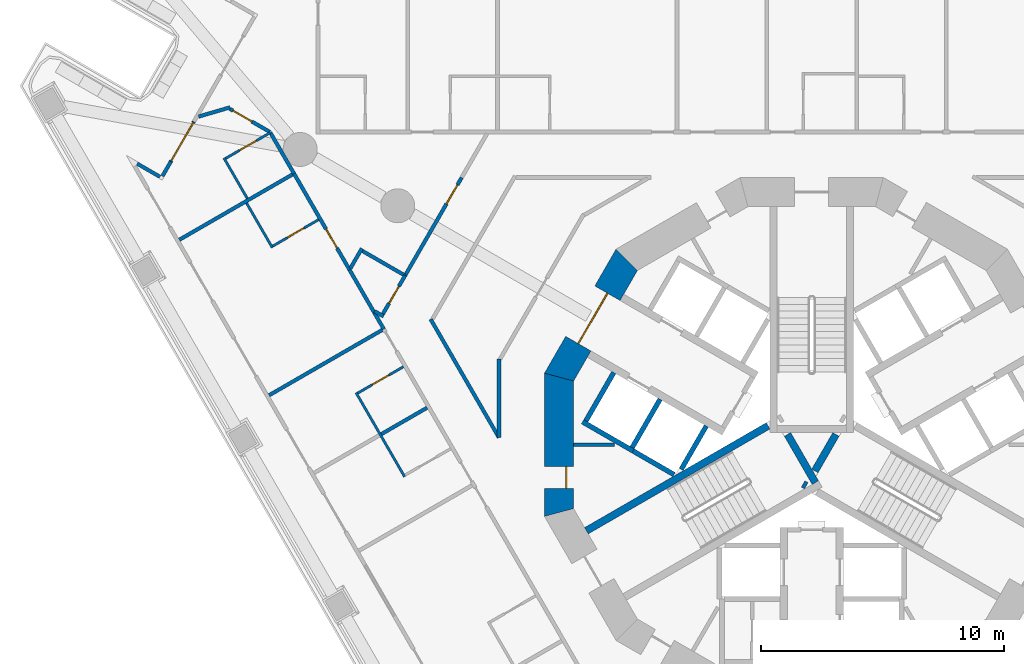
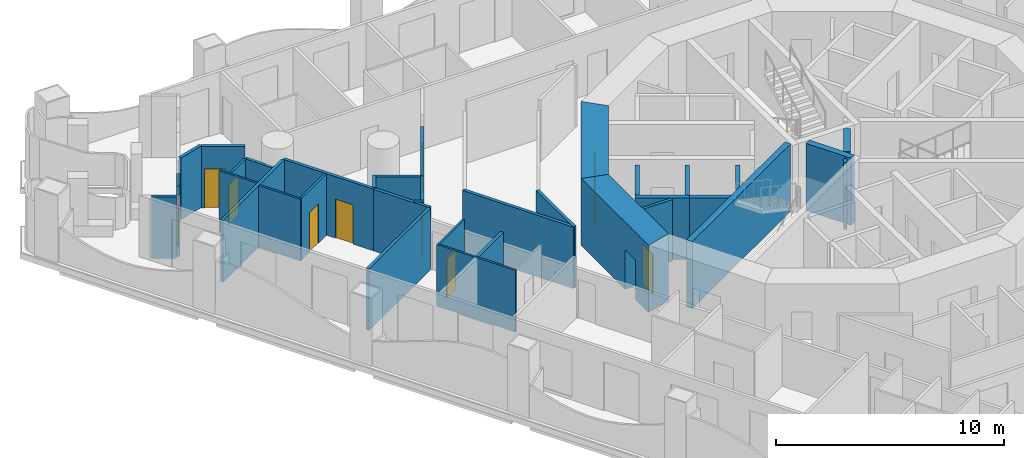
# One storey, part 6 of 20: 36 walls, 10 doors, 10 openings.
"""IFC4 building model written with IfcOpenShell, lengths in metres."""

from ifc_helpers import new_model, si_unit, direction, frame, frame_2d, origin, place, context, subcontext, project, spatial, polyline, rectangle, outline, extrude, material, layer, layer_set, type_object, element, fill, save


model = new_model("IFC4")

# Units and contexts
model_context = context("Model", 3, precision=1e-05, world=origin(), true_north=direction((0.0, 1.0)))
body_context = subcontext(model_context, "Body", "Model", "MODEL_VIEW")
ifc_project = project(units=[si_unit("LENGTHUNIT", "METRE"), si_unit("AREAUNIT", "SQUARE_METRE"), si_unit("VOLUMEUNIT", "CUBIC_METRE"), si_unit("PLANEANGLEUNIT", "RADIAN"), si_unit("MASSUNIT", "GRAM", prefix="KILO")], contexts=[model_context])

# Site, building, storey
site_placement = place(None, origin())
site = spatial("IfcSite", under=ifc_project, at=site_placement, CompositionType="ELEMENT")
building_placement = place(site_placement, origin())
building = spatial("IfcBuilding", under=site, at=building_placement, Name="Trine Commons Tower", CompositionType="ELEMENT")
storey_placement = place(building_placement, frame((0.0, 0.0, 35.10009765625)))
storey = spatial("IfcBuildingStorey", under=building, at=storey_placement, Name="L07", CompositionType="ELEMENT", Elevation=35.10009765625)

# Walls
ifc_material_1 = material(Name="Plasterboard partition on steel studs", Category="steel")
ifc_layer_1 = layer(ifc_material_1, 0.14990234375)
ifc_layer_set_1 = layer_set([ifc_layer_1], Name="Plasterboard partition on steel studs")
wall_type_1 = type_object("IfcWallType", Name="Core room partition 150 mm, EI 60", PredefinedType="PARTITIONING", material=ifc_layer_set_1)
wall_1_placement = place(storey_placement, frame((70.18798828125, 62.5, 0.0), z_axis=(0.0, 0.0, 1.0), x_axis=(1.0, 0.0, 0.0)))
element("IfcWall", 1, at=wall_1_placement, inside=storey, type_object=wall_type_1, Name="Core room partition L07", PredefinedType="PARTITIONING", context=body_context, shape_type="SweptSolid", body=[
    extrude(rectangle(XDim=1.68310546875, YDim=0.14990234375, at=frame_2d((0.841552734375, 0.0))), origin(), (0.0, 0.0, 1.0), 3.2998046875),
])
ifc_material_2 = material(Name="Aluminium-framed insulated wall panel", Category="aluminium")
ifc_layer_2 = layer(ifc_material_2, 0.14990234375)
ifc_layer_set_2 = layer_set([ifc_layer_2], Name="Aluminium-framed insulated wall panel")
wall_type_2 = type_object("IfcWallType", Name="Glazed frame wall 150, EI 60", PredefinedType="SOLIDWALL", material=ifc_layer_set_2)
wall_2_placement = place(storey_placement, frame((52.074462890625, 74.159912109375, 0.0), z_axis=(0.0, 0.0, 1.0), x_axis=(0.865989100438, -0.500062873969, 0.0)))
element("IfcWall", 2, at=wall_2_placement, inside=storey, type_object=wall_type_2, Name="Glazed frame wall R1", PredefinedType="SOLIDWALL", context=body_context, shape_type="SweptSolid", body=[
    extrude(outline(polyline([(0.1494140625, 0.074951171875), (0.1494140625, -0.074951171875), (1.235107421875, -0.074951171875), (1.235107421875, 0.074951171875), (0.1494140625, 0.074951171875)])), origin(), (0.0, 0.0, 1.0), 3.2998046875),
])
wall_3_placement = place(storey_placement, frame((53.19140625, 73.474609375, 0.0), z_axis=(0.0, 0.0, 1.0), x_axis=(0.499880961361, 0.866094119867, 0.0)))
element("IfcWall", 3, at=wall_3_placement, inside=storey, type_object=wall_type_2, Name="Glazed frame wall P1.1", PredefinedType="SOLIDWALL", context=body_context, shape_type="SweptSolid", body=[
    extrude(outline(polyline([(0.110107421875, -0.074951171875), (0.800048828125, -0.074951171875), (0.800048828125, 0.074951171875), (0.110107421875, 0.074951171875), (0.110107421875, -0.074951171875)])), origin(), (0.0, 0.0, 1.0), 3.2998046875),
])

# Wall, opening, door
wall_4_placement = place(storey_placement, frame((53.59130859375, 74.16748046875, 0.0), z_axis=(0.0, 0.0, 1.0), x_axis=(0.500063520245, 0.865988727248, 0.0)))
wall_4 = element("IfcWall", 4, at=wall_4_placement, inside=storey, type_object=wall_type_2, Name="Glazed frame wall P1.2", PredefinedType="SOLIDWALL", context=body_context, shape_type="SweptSolid", body=[
    extrude(outline(polyline([(0.0, -0.074951171875), (1.89990234375, -0.074951171875), (1.89990234375, 0.074951171875), (0.0, 0.074951171875), (0.0, -0.074951171875)])), origin(), (0.0, 0.0, 1.0), 2.64990234375),
])
opening_1_placement = place(wall_4_placement, frame((0.050048828125, 0.0, 0.0)))
opening_1 = element("IfcOpeningElement", 5, at=opening_1_placement, cuts=wall_4, Name="Opening BD-1P1-01", PredefinedType="OPENING", context=body_context, shape_type="SweptSolid", body=[
    extrude(rectangle(XDim=1.800048828125, YDim=2.60009765625, at=frame_2d((0.89990234375, 1.300048828125))), frame((0.0, 0.0849609375, 0.0), z_axis=(0.0, -1.0, 0.0), x_axis=(1.0, 0.0, 0.0)), (0.0, 0.0, 1.0), 0.169921875),
])
ifc_material_3 = material(Name="Anodised aluminium frame with double glazing", Category="aluminium")
door_type_1 = type_object("IfcDoorType", Name="Sliding loggia door 1800x2600", OperationType="SLIDING_TO_LEFT", PredefinedType="DOOR", material=ifc_material_3)
door_1_placement = place(opening_1_placement, origin())
door_1 = element("IfcDoor", 6, at=door_1_placement, inside=storey, type_object=door_type_1, Name="Loggia door P1 1", OperationType="SLIDING_TO_LEFT", OverallHeight=2.60009765625, OverallWidth=1.800048828125, PredefinedType="DOOR", context=body_context, shape_type="SweptSolid", body=[
    extrude(rectangle(XDim=1.800048828125, YDim=2.60009765625, at=frame_2d((0.89990234375, 1.300048828125))), frame((0.0, 0.02490234375, 0.0), z_axis=(0.0, -1.0, 0.0), x_axis=(1.0, 0.0, 0.0)), (0.0, 0.0, 1.0), 0.050048828125),
])
fill(opening_1, door_1)

ifc_material_4 = material(Name="Concrete C80/95", Category="concrete")
ifc_layer_3 = layer(ifc_material_4, 1.199951171875)
ifc_layer_set_3 = layer_set([ifc_layer_3], Name="Concrete C80/95")
wall_type_3 = type_object("IfcWallType", Name="RC shear wall 1200 mm, C80/95", PredefinedType="SHEAR", material=ifc_layer_set_3)
wall_5_placement = place(storey_placement, frame((72.45849609375, 70.260986328125, 0.0), z_axis=(0.0, 0.0, 1.0), x_axis=(-0.499979111662, -0.866037463336, 0.0)))
wall_5 = element("IfcWall", 7, at=wall_5_placement, inside=storey, type_object=wall_type_3, Name="Core wall CWA-06 L07", PredefinedType="SHEAR", context=body_context, shape_type="SweptSolid", body=[
    extrude(outline(polyline([(0.0, -0.60009765625), (5.901123046875, -0.60009765625), (5.57958984375, 0.60009765625), (0.321533203125, 0.60009765625), (0.0, -0.60009765625)])), origin(), (0.0, 0.0, 1.0), 3.599853515625),
])
opening_2_placement = place(wall_5_placement, frame((1.75048828125, 0.0, 0.0)))
opening_2 = element("IfcOpeningElement", 8, at=opening_2_placement, cuts=wall_5, Name="Opening K06.06", PredefinedType="OPENING", context=body_context, shape_type="SweptSolid", body=[
    extrude(rectangle(XDim=2.39990234375, YDim=2.10009765625, at=frame_2d((1.199951171875, 1.050048828125))), frame((0.0, 0.60986328125, 0.0), z_axis=(0.0, -1.0, 0.0), x_axis=(1.0, 0.0, 0.0)), (0.0, 0.0, 1.0), 1.219970703125),
])
ifc_material_5 = material(Name="Steel door leaves, fire-rated", Category="steel")
door_type_2 = type_object("IfcDoorType", Name="Lobby door, double leaf 2400 x 2100, FD60", OperationType="DOUBLE_DOOR_SINGLE_SWING", PredefinedType="DOOR", material=ifc_material_5)
door_2_placement = place(opening_2_placement, origin())
door_2 = element("IfcDoor", 9, at=door_2_placement, inside=storey, type_object=door_type_2, Name="Lobby door, Passenger lift lobby B L07", OperationType="DOUBLE_DOOR_SINGLE_SWING", OverallHeight=2.10009765625, OverallWidth=2.39990234375, PredefinedType="DOOR", context=body_context, shape_type="SweptSolid", body=[
    extrude(rectangle(XDim=2.39990234375, YDim=2.10009765625, at=frame_2d((1.199951171875, 1.050048828125))), frame((0.0, 0.02490234375, 0.0), z_axis=(0.0, -1.0, 0.0), x_axis=(1.0, 0.0, 0.0)), (0.0, 0.0, 1.0), 0.050048828125),
])
fill(opening_2, door_2)

wall_6_placement = place(storey_placement, frame((69.58837890625, 65.450439453125, 0.0), z_axis=(0.0, 0.0, 1.0), x_axis=(0.0, -1.0, 0.0)))
wall_6 = element("IfcWall", 10, at=wall_6_placement, inside=storey, type_object=wall_type_3, Name="Core wall CWA-07 L07", PredefinedType="SHEAR", context=body_context, shape_type="SweptSolid", body=[
    extrude(outline(polyline([(0.0, -0.60009765625), (5.90087890625, -0.60009765625), (5.57958984375, 0.60009765625), (0.321533203125, 0.60009765625), (0.0, -0.60009765625)])), origin(), (0.0, 0.0, 1.0), 3.599853515625),
])
opening_3_placement = place(wall_6_placement, frame((3.8505859375, 0.0, 0.0)))
opening_3 = element("IfcOpeningElement", 11, at=opening_3_placement, cuts=wall_6, Name="Opening K06.14", PredefinedType="OPENING", context=body_context, shape_type="SweptSolid", body=[
    extrude(rectangle(XDim=0.89990234375, YDim=2.10009765625, at=frame_2d((0.449951171875, 1.050048828125))), frame((0.0, 0.60986328125, 0.0), z_axis=(0.0, -1.0, 0.0), x_axis=(1.0, 0.0, 0.0)), (0.0, 0.0, 1.0), 1.219970703125),
])
ifc_material_6 = material(Name="Steel door leaf, fire-rated", Category="steel")
door_type_3 = type_object("IfcDoorType", Name="Core room door, single leaf 900 x 2100, FD30S", OperationType="SINGLE_SWING_LEFT", PredefinedType="DOOR", material=ifc_material_6)
door_3_placement = place(opening_3_placement, origin())
door_3 = element("IfcDoor", 12, at=door_3_placement, inside=storey, type_object=door_type_3, Name="Door to Comms room L07", OperationType="SINGLE_SWING_RIGHT", OverallHeight=2.10009765625, OverallWidth=0.89990234375, PredefinedType="DOOR", context=body_context, shape_type="SweptSolid", body=[
    extrude(rectangle(XDim=0.89990234375, YDim=2.10009765625, at=frame_2d((0.449951171875, 1.050048828125))), frame((0.0, 0.3251953125, 0.0), z_axis=(0.0, -1.0, 0.0), x_axis=(1.0, 0.0, 0.0)), (0.0, 0.0, 1.0), 0.050048828125),
])
fill(opening_3, door_3)

# Walls
ifc_layer_4 = layer(ifc_material_4, 0.300048828125)
ifc_layer_set_4 = layer_set([ifc_layer_4], Name="Concrete C80/95")
wall_type_4 = type_object("IfcWallType", Name="RC shear wall 300 mm, C80/95", PredefinedType="SHEAR", material=ifc_layer_set_4)
wall_7_placement = place(storey_placement, frame((78.199951171875, 63.280029296875, 0.0), z_axis=(0.0, 0.0, 1.0), x_axis=(-0.865965399159, -0.500103916661, 0.0)))
element("IfcWall", 13, at=wall_7_placement, inside=storey, type_object=wall_type_4, Name="Core cross wall SWA-07 L07", PredefinedType="SHEAR", context=body_context, shape_type="SweptSolid", body=[
    extrude(rectangle(XDim=8.642333984375, YDim=0.300048828125, at=frame_2d((4.3212890625, 0.0))), origin(), (0.0, 0.0, 1.0), 3.599853515625),
])
wall_8_placement = place(storey_placement, frame((79.0029296875, 62.926025390625, 0.0), z_axis=(0.0, 0.0, 1.0), x_axis=(0.499965247104, -0.866045467449, 0.0)))
element("IfcWall", 14, at=wall_8_placement, inside=storey, type_object=wall_type_4, Name="Core cross wall SWA-10 L07", PredefinedType="SHEAR", context=body_context, shape_type="SweptSolid", body=[
    extrude(rectangle(XDim=2.292236328125, YDim=0.300048828125, at=frame_2d((1.14599609375, 0.0))), origin(), (0.0, 0.0, 1.0), 3.599853515625),
])
wall_9_placement = place(storey_placement, frame((79.64599609375, 60.885986328125, 0.0), z_axis=(0.0, 0.0, 1.0), x_axis=(0.867331893649, -0.497730234424, 0.0)))
element("IfcWall", 15, at=wall_9_placement, inside=storey, type_object=wall_type_4, Name="Core cross wall SWA-11 L07", PredefinedType="SHEAR", context=body_context, shape_type="SweptSolid", body=[
    extrude(rectangle(XDim=0.148681640625, YDim=0.300048828125, at=frame_2d((0.07421875, 0.0))), origin(), (0.0, 0.0, 1.0), 3.599853515625),
])
wall_10_placement = place(storey_placement, frame((80.1298828125, 61.424072265625, 0.0), z_axis=(0.0, 0.0, 1.0), x_axis=(0.500014901547, 0.866016800201, 0.0)))
element("IfcWall", 16, at=wall_10_placement, inside=storey, type_object=wall_type_4, Name="Core cross wall SWA-12 L07", PredefinedType="SHEAR", context=body_context, shape_type="SweptSolid", body=[
    extrude(rectangle(XDim=1.734375, YDim=0.300048828125, at=frame_2d((0.8671875, 0.0))), origin(), (0.0, 0.0, 1.0), 3.599853515625),
])
ifc_material_7 = material(Name="Fire-rated gypsum shaft wall system")
ifc_layer_5 = layer(ifc_material_7, 0.199951171875)
ifc_layer_set_5 = layer_set([ifc_layer_5], Name="Fire-rated gypsum shaft wall system")
wall_type_5 = type_object("IfcWallType", Name="Shaft wall 200 mm, EI 120", PredefinedType="PARTITIONING", material=ifc_layer_set_5)
wall_11_placement = place(storey_placement, frame((71.844970703125, 65.47607421875, 0.0), z_axis=(0.0, 0.0, 1.0), x_axis=(-0.500136062276, -0.86594683394, 0.0)))
element("IfcWall", 17, at=wall_11_placement, inside=storey, type_object=wall_type_5, Name="Shaft wall L07", PredefinedType="PARTITIONING", context=body_context, shape_type="SweptSolid", body=[
    extrude(rectangle(XDim=2.299072265625, YDim=0.199951171875, at=frame_2d((1.1494140625, 0.0))), origin(), (0.0, 0.0, 1.0), 3.2998046875),
])
wall_12_placement = place(storey_placement, frame((72.637939453125, 62.248046875, 0.0), z_axis=(0.0, 0.0, 1.0), x_axis=(-0.866177122335, 0.499737123639, 0.0)))
element("IfcWall", 18, at=wall_12_placement, inside=storey, type_object=wall_type_5, Name="Shaft wall L07", PredefinedType="PARTITIONING", context=body_context, shape_type="SweptSolid", body=[
    extrude(rectangle(XDim=2.401123046875, YDim=0.199951171875, at=frame_2d((1.20068359375, 0.0))), origin(), (0.0, 0.0, 1.0), 3.2998046875),
])
wall_13_placement = place(storey_placement, frame((73.7509765625, 64.3759765625, 0.0), z_axis=(0.0, 0.0, 1.0), x_axis=(-0.500136062276, -0.86594683394, 0.0)))
element("IfcWall", 19, at=wall_13_placement, inside=storey, type_object=wall_type_5, Name="Shaft wall L07", PredefinedType="PARTITIONING", context=body_context, shape_type="SweptSolid", body=[
    extrude(rectangle(XDim=2.299072265625, YDim=0.199951171875, at=frame_2d((1.1494140625, 0.0))), origin(), (0.0, 0.0, 1.0), 3.2998046875),
])
wall_14_placement = place(storey_placement, frame((74.324951171875, 61.27294921875, 0.0), z_axis=(0.0, 0.0, 1.0), x_axis=(-0.865780634835, 0.500423712812, 0.0)))
element("IfcWall", 20, at=wall_14_placement, inside=storey, type_object=wall_type_5, Name="Shaft wall L07", PredefinedType="PARTITIONING", context=body_context, shape_type="SweptSolid", body=[
    extrude(rectangle(XDim=1.948486328125, YDim=0.199951171875, at=frame_2d((0.97412109375, 0.0))), origin(), (0.0, 0.0, 1.0), 3.2998046875),
])
wall_15_placement = place(storey_placement, frame((75.656005859375, 63.27587890625, 0.0), z_axis=(0.0, 0.0, 1.0), x_axis=(-0.500271688072, -0.86586848777, 0.0)))
element("IfcWall", 21, at=wall_15_placement, inside=storey, type_object=wall_type_5, Name="Shaft wall L07", PredefinedType="PARTITIONING", context=body_context, shape_type="SweptSolid", body=[
    extrude(rectangle(XDim=2.064697265625, YDim=0.199951171875, at=frame_2d((1.0322265625, 0.0))), origin(), (0.0, 0.0, 1.0), 3.2998046875),
])
ifc_material_8 = material(Name="Gypsum plasterboard on steel stud", Category="steel")
ifc_layer_6 = layer(ifc_material_8, 0.14990234375)
ifc_layer_set_6 = layer_set([ifc_layer_6], Name="Gypsum plasterboard on steel stud")
wall_type_6 = type_object("IfcWallType", Name="Unit and corridor wall 150 mm, EI 60", PredefinedType="PARTITIONING", material=ifc_layer_set_6)
wall_16_placement = place(storey_placement, frame((53.941650390625, 70.946044921875, 0.0), z_axis=(0.0, 0.0, 1.0), x_axis=(0.866012611495, 0.500022156241, 0.0)))
element("IfcWall", 22, at=wall_16_placement, inside=storey, type_object=wall_type_6, Name="Partition 001", PredefinedType="PARTITIONING", context=body_context, shape_type="SweptSolid", body=[
    extrude(rectangle(XDim=5.382568359375, YDim=0.14990234375, at=frame_2d((2.69140625, 0.0))), origin(), (0.0, 0.0, 1.0), 3.2998046875),
])
wall_17_placement = place(storey_placement, frame((54.7353515625, 76.023193359375, 0.0), z_axis=(0.0, 0.0, 1.0), x_axis=(0.959684993382, 0.281077771226, 0.0)))
element("IfcWall", 23, at=wall_17_placement, inside=storey, type_object=wall_type_6, Name="Partition 002", PredefinedType="PARTITIONING", context=body_context, shape_type="SweptSolid", body=[
    extrude(rectangle(XDim=1.34814453125, YDim=0.14990234375, at=frame_2d((0.674072265625, 0.0))), origin(), (0.0, 0.0, 1.0), 3.2998046875),
])

# Wall, opening, door
wall_18_placement = place(storey_placement, frame((56.02197265625, 76.343505859375, 0.0), z_axis=(0.0, 0.0, 1.0), x_axis=(0.866179215651, -0.49973349535, 0.0)))
wall_18 = element("IfcWall", 24, at=wall_18_placement, inside=storey, type_object=wall_type_6, Name="Partition 005", PredefinedType="PARTITIONING", context=body_context, shape_type="SweptSolid", body=[
    extrude(rectangle(XDim=1.9140625, YDim=0.14990234375, at=frame_2d((0.95703125, 0.0))), origin(), (0.0, 0.0, 1.0), 3.2998046875),
])
opening_4_placement = place(wall_18_placement, frame((0.14990234375, 0.0, 0.0)))
opening_4 = element("IfcOpeningElement", 25, at=opening_4_placement, cuts=wall_18, Name="Opening D-1A33", PredefinedType="OPENING", context=body_context, shape_type="SweptSolid", body=[
    extrude(rectangle(XDim=0.89990234375, YDim=2.10009765625, at=frame_2d((0.449951171875, 1.050048828125))), frame((0.0, 0.0849609375, 0.0), z_axis=(0.0, -1.0, 0.0), x_axis=(1.0, 0.0, 0.0)), (0.0, 0.0, 1.0), 0.169921875),
])
ifc_material_9 = material(Name="Timber fire door set", Category="wood")
door_type_4 = type_object("IfcDoorType", Name="Bedroom door 900 x 2100, FD30S", OperationType="NOTDEFINED", PredefinedType="DOOR", material=ifc_material_9)
door_4_placement = place(opening_4_placement, frame((0.89990234375, 0.0, 0.0), z_axis=(0.0, 0.0, 1.0), x_axis=(-1.0, 0.0, 0.0)))
door_4 = element("IfcDoor", 26, at=door_4_placement, inside=storey, type_object=door_type_4, Name="Door D-1A33", OperationType="SINGLE_SWING_RIGHT", OverallHeight=2.10009765625, OverallWidth=0.89990234375, PredefinedType="DOOR", context=body_context, shape_type="SweptSolid", body=[
    extrude(rectangle(XDim=0.89990234375, YDim=2.10009765625, at=frame_2d((0.449951171875, 1.050048828125))), frame((0.0, 0.02490234375, 0.0), z_axis=(0.0, -1.0, 0.0), x_axis=(1.0, 0.0, 0.0)), (0.0, 0.0, 1.0), 0.050048828125),
])
fill(opening_4, door_4)

# Walls
wall_19_placement = place(storey_placement, frame((57.640625, 64.5390625, 0.0), z_axis=(0.0, 0.0, 1.0), x_axis=(0.866012611495, 0.500022156241, 0.0)))
element("IfcWall", 27, at=wall_19_placement, inside=storey, type_object=wall_type_6, Name="Partition 007", PredefinedType="PARTITIONING", context=body_context, shape_type="SweptSolid", body=[
    extrude(rectangle(XDim=5.382568359375, YDim=0.14990234375, at=frame_2d((2.69140625, 0.0))), origin(), (0.0, 0.0, 1.0), 3.2998046875),
])
wall_20_placement = place(storey_placement, frame((57.69091796875, 75.366943359375, 0.0), z_axis=(0.0, 0.0, 1.0), x_axis=(0.500090215447, -0.865973311606, 0.0)))
element("IfcWall", 28, at=wall_20_placement, inside=storey, type_object=wall_type_6, Name="Partition 008", PredefinedType="PARTITIONING", context=body_context, shape_type="SweptSolid", body=[
    extrude(rectangle(XDim=1.953857421875, YDim=0.14990234375, at=frame_2d((0.97705078125, 0.0))), origin(), (0.0, 0.0, 1.0), 2.64990234375),
])

# Wall, opening, door
wall_21_placement = place(storey_placement, frame((58.66796875, 73.675048828125, 0.0), z_axis=(0.0, 0.0, 1.0), x_axis=(0.499810170442, -0.866134974194, 0.0)))
wall_21 = element("IfcWall", 29, at=wall_21_placement, inside=storey, type_object=wall_type_6, Name="Partition 010", PredefinedType="PARTITIONING", context=body_context, shape_type="SweptSolid", body=[
    extrude(rectangle(XDim=4.577880859375, YDim=0.14990234375, at=frame_2d((2.2890625, 0.0))), origin(), (0.0, 0.0, 1.0), 3.2998046875),
])
opening_5_placement = place(wall_21_placement, frame((2.647705078125, 0.0, 0.0)))
opening_5 = element("IfcOpeningElement", 30, at=opening_5_placement, cuts=wall_21, Name="Opening D-1A32", PredefinedType="OPENING", context=body_context, shape_type="SweptSolid", body=[
    extrude(rectangle(XDim=0.89990234375, YDim=2.10009765625, at=frame_2d((0.449951171875, 1.050048828125))), frame((0.0, 0.0849609375, 0.0), z_axis=(0.0, -1.0, 0.0), x_axis=(1.0, 0.0, 0.0)), (0.0, 0.0, 1.0), 0.169921875),
])
door_5_placement = place(opening_5_placement, frame((0.89990234375, 0.0, 0.0), z_axis=(0.0, 0.0, 1.0), x_axis=(-1.0, 0.0, 0.0)))
door_5 = element("IfcDoor", 31, at=door_5_placement, inside=storey, type_object=door_type_4, Name="Door D-1A32", OperationType="SINGLE_SWING_LEFT", OverallHeight=2.10009765625, OverallWidth=0.89990234375, PredefinedType="DOOR", context=body_context, shape_type="SweptSolid", body=[
    extrude(rectangle(XDim=0.89990234375, YDim=2.10009765625, at=frame_2d((0.449951171875, 1.050048828125))), frame((0.0, 0.02490234375, 0.0), z_axis=(0.0, -1.0, 0.0), x_axis=(1.0, 0.0, 0.0)), (0.0, 0.0, 1.0), 0.050048828125),
])
fill(opening_5, door_5)

# Walls
wall_22_placement = place(storey_placement, frame((60.993408203125, 69.77490234375, 0.0), z_axis=(0.0, 0.0, 1.0), x_axis=(0.499692428125, 0.866202907681, 0.0)))
element("IfcWall", 32, at=wall_22_placement, inside=storey, type_object=wall_type_6, Name="Partition 015", PredefinedType="PARTITIONING", context=body_context, shape_type="SweptSolid", body=[
    extrude(rectangle(XDim=0.9384765625, YDim=0.14990234375, at=frame_2d((0.46923828125, 0.0))), origin(), (0.0, 0.0, 1.0), 3.2998046875),
])
wall_23_placement = place(storey_placement, frame((60.9560546875, 69.7099609375, 0.0), z_axis=(0.0, 0.0, 1.0), x_axis=(0.500313606915, -0.865844267022, 0.0)))
element("IfcWall", 33, at=wall_23_placement, inside=storey, type_object=wall_type_6, Name="Partition 016", PredefinedType="PARTITIONING", context=body_context, shape_type="SweptSolid", body=[
    extrude(rectangle(XDim=2.823974609375, YDim=0.14990234375, at=frame_2d((1.412109375, 0.0))), origin(), (0.0, 0.0, 1.0), 3.2998046875),
])
wall_24_placement = place(storey_placement, frame((61.489990234375, 70.485595703125, 0.0), z_axis=(0.0, 0.0, 1.0), x_axis=(0.866008926066, -0.500028539159, 0.0)))
element("IfcWall", 34, at=wall_24_placement, inside=storey, type_object=wall_type_6, Name="Partition 020", PredefinedType="PARTITIONING", context=body_context, shape_type="SweptSolid", body=[
    extrude(rectangle(XDim=2.025390625, YDim=0.14990234375, at=frame_2d((1.0126953125, 0.0))), origin(), (0.0, 0.0, 1.0), 3.2998046875),
])
wall_25_placement = place(storey_placement, frame((61.98388671875, 68.006591796875, 0.0), z_axis=(0.0, 0.0, 1.0), x_axis=(0.866467188461, -0.499234024602, 0.0)))
element("IfcWall", 35, at=wall_25_placement, inside=storey, type_object=wall_type_6, Name="Partition 022", PredefinedType="PARTITIONING", context=body_context, shape_type="SweptSolid", body=[
    extrude(rectangle(XDim=0.432861328125, YDim=0.14990234375, at=frame_2d((0.21630859375, 0.0))), origin(), (0.0, 0.0, 1.0), 3.2998046875),
])
wall_26_placement = place(storey_placement, frame((62.268310546875, 62.93994140625, 0.0), z_axis=(0.0, 0.0, 1.0), x_axis=(0.865905060694, 0.500208382442, 0.0)))
element("IfcWall", 36, at=wall_26_placement, inside=storey, type_object=wall_type_6, Name="Partition 023", PredefinedType="PARTITIONING", context=body_context, shape_type="SweptSolid", body=[
    extrude(rectangle(XDim=2.17431640625, YDim=0.14990234375, at=frame_2d((1.087158203125, 0.0))), origin(), (0.0, 0.0, 1.0), 3.2998046875),
])

# Wall, opening, door
wall_27_placement = place(storey_placement, frame((62.32958984375, 67.889892578125, 0.0), z_axis=(0.0, 0.0, 1.0), x_axis=(0.500295360516, 0.865854810142, 0.0)))
wall_27 = element("IfcWall", 37, at=wall_27_placement, inside=storey, type_object=wall_type_6, Name="Partition 024", PredefinedType="PARTITIONING", context=body_context, shape_type="SweptSolid", body=[
    extrude(rectangle(XDim=1.83203125, YDim=0.14990234375, at=frame_2d((0.916015625, 0.0))), origin(), (0.0, 0.0, 1.0), 3.2998046875),
])
opening_6_placement = place(wall_27_placement, frame((0.51416015625, 0.0, 0.0)))
opening_6 = element("IfcOpeningElement", 38, at=opening_6_placement, cuts=wall_27, Name="Opening D-1A06", PredefinedType="OPENING", context=body_context, shape_type="SweptSolid", body=[
    extrude(rectangle(XDim=0.800048828125, YDim=2.10009765625, at=frame_2d((0.39990234375, 1.050048828125))), frame((0.0, 0.0849609375, 0.0), z_axis=(0.0, -1.0, 0.0), x_axis=(1.0, 0.0, 0.0)), (0.0, 0.0, 1.0), 0.169921875),
])
ifc_material_10 = material(Name="Painted timber", Category="wood")
door_type_5 = type_object("IfcDoorType", Name="Toilet door 800 x 2100, NOT RATED", OperationType="NOTDEFINED", PredefinedType="DOOR", material=ifc_material_10)
door_6_placement = place(opening_6_placement, origin())
door_6 = element("IfcDoor", 39, at=door_6_placement, inside=storey, type_object=door_type_5, Name="Door D-1A06", OperationType="SINGLE_SWING_LEFT", OverallHeight=2.10009765625, OverallWidth=0.800048828125, PredefinedType="DOOR", context=body_context, shape_type="SweptSolid", body=[
    extrude(rectangle(XDim=0.800048828125, YDim=2.10009765625, at=frame_2d((0.39990234375, 1.050048828125))), frame((0.0, 0.02490234375, 0.0), z_axis=(0.0, -1.0, 0.0), x_axis=(1.0, 0.0, 0.0)), (0.0, 0.0, 1.0), 0.050048828125),
])
fill(opening_6, door_6)

wall_28_placement = place(storey_placement, frame((63.24609375, 69.47607421875, 0.0), z_axis=(0.0, 0.0, 1.0), x_axis=(0.500135267133, 0.865947293182, 0.0)))
wall_28 = element("IfcWall", 40, at=wall_28_placement, inside=storey, type_object=wall_type_6, Name="Partition 027", PredefinedType="PARTITIONING", context=body_context, shape_type="SweptSolid", body=[
    extrude(rectangle(XDim=4.658447265625, YDim=0.14990234375, at=frame_2d((2.3291015625, 0.0))), origin(), (0.0, 0.0, 1.0), 2.699951171875),
])
opening_7_placement = place(wall_28_placement, frame((3.4140625, 0.0, 0.0)))
opening_7 = element("IfcOpeningElement", 41, at=opening_7_placement, cuts=wall_28, Name="Opening D-1A03", PredefinedType="OPENING", context=body_context, shape_type="SweptSolid", body=[
    extrude(rectangle(XDim=0.89990234375, YDim=2.10009765625, at=frame_2d((0.449951171875, 1.050048828125))), frame((0.0, 0.0849609375, 0.0), z_axis=(0.0, -1.0, 0.0), x_axis=(1.0, 0.0, 0.0)), (0.0, 0.0, 1.0), 0.169921875),
])
door_type_6 = type_object("IfcDoorType", Name="Cluster entrance door 900 x 2100, FD30S", OperationType="NOTDEFINED", PredefinedType="DOOR", material=ifc_material_9)
door_7_placement = place(opening_7_placement, origin())
door_7 = element("IfcDoor", 42, at=door_7_placement, inside=storey, type_object=door_type_6, Name="Door D-1A03", OperationType="SINGLE_SWING_RIGHT", OverallHeight=2.10009765625, OverallWidth=0.89990234375, PredefinedType="DOOR", context=body_context, shape_type="SweptSolid", body=[
    extrude(rectangle(XDim=0.89990234375, YDim=2.10009765625, at=frame_2d((0.449951171875, 1.050048828125))), frame((0.0, 0.02490234375, 0.0), z_axis=(0.0, -1.0, 0.0), x_axis=(1.0, 0.0, 0.0)), (0.0, 0.0, 1.0), 0.050048828125),
])
fill(opening_7, door_7)

# Walls
wall_29_placement = place(storey_placement, frame((64.29638671875, 67.676025390625, 0.0), z_axis=(0.0, 0.0, 1.0), x_axis=(0.499975045044, -0.866039811056, 0.0)))
element("IfcWall", 43, at=wall_29_placement, inside=storey, type_object=wall_type_6, Name="Partition 029", PredefinedType="PARTITIONING", context=body_context, shape_type="SweptSolid", body=[
    extrude(rectangle(XDim=5.633544921875, YDim=0.14990234375, at=frame_2d((2.81689453125, 0.0))), origin(), (0.0, 0.0, 1.0), 3.2998046875),
])
wall_30_placement = place(storey_placement, frame((67.113037109375, 62.79296875, 0.0), z_axis=(0.0, 0.0, 1.0), x_axis=(0.0, 1.0, 0.0)))
element("IfcWall", 44, at=wall_30_placement, inside=storey, type_object=wall_type_6, Name="Partition 038", PredefinedType="PARTITIONING", context=body_context, shape_type="SweptSolid", body=[
    extrude(rectangle(XDim=3.235107421875, YDim=0.14990234375, at=frame_2d((1.61767578125, 0.0))), origin(), (0.0, 0.0, 1.0), 3.2998046875),
])
ifc_layer_7 = layer(ifc_material_8, 0.10009765625)
ifc_layer_set_7 = layer_set([ifc_layer_7], Name="Gypsum plasterboard on steel stud")
wall_type_7 = type_object("IfcWallType", Name="Unit partition 100 mm, no rating", PredefinedType="PARTITIONING", material=ifc_layer_set_7)
wall_31_placement = place(storey_placement, frame((55.780029296875, 74.3173828125, 0.0), z_axis=(0.0, 0.0, 1.0), x_axis=(0.499876134923, -0.86609690551, 0.0)))
element("IfcWall", 45, at=wall_31_placement, inside=storey, type_object=wall_type_7, Name="Partition 003", PredefinedType="PARTITIONING", context=body_context, shape_type="SweptSolid", body=[
    extrude(rectangle(XDim=1.92529296875, YDim=0.10009765625, at=frame_2d((0.962646484375, 0.0))), origin(), (0.0, 0.0, 1.0), 3.2998046875),
])

# Wall, opening, door
wall_32_placement = place(storey_placement, frame((55.848388671875, 74.299072265625, 0.0), z_axis=(0.0, 0.0, 1.0), x_axis=(0.866048165231, 0.499960573946, 0.0)))
wall_32 = element("IfcWall", 46, at=wall_32_placement, inside=storey, type_object=wall_type_7, Name="Partition 004", PredefinedType="PARTITIONING", context=body_context, shape_type="SweptSolid", body=[
    extrude(rectangle(XDim=2.130126953125, YDim=0.10009765625, at=frame_2d((1.06494140625, 0.0))), origin(), (0.0, 0.0, 1.0), 2.64990234375),
])
opening_8_placement = place(wall_32_placement, frame((0.6650390625, 0.0, 0.0)))
opening_8 = element("IfcOpeningElement", 47, at=opening_8_placement, cuts=wall_32, Name="Opening D-1A65", PredefinedType="OPENING", context=body_context, shape_type="SweptSolid", body=[
    extrude(rectangle(XDim=0.800048828125, YDim=2.10009765625, at=frame_2d((0.39990234375, 1.050048828125))), frame((0.0, 0.06005859375, 0.0), z_axis=(0.0, -1.0, 0.0), x_axis=(1.0, 0.0, 0.0)), (0.0, 0.0, 1.0), 0.1201171875),
])
door_type_7 = type_object("IfcDoorType", Name="Internal door 800 x 2100, NOT RATED", OperationType="NOTDEFINED", PredefinedType="DOOR", material=ifc_material_10)
door_8_placement = place(opening_8_placement, origin())
door_8 = element("IfcDoor", 48, at=door_8_placement, inside=storey, type_object=door_type_7, Name="Door D-1A65", OperationType="SINGLE_SWING_RIGHT", OverallHeight=2.10009765625, OverallWidth=0.800048828125, PredefinedType="DOOR", context=body_context, shape_type="SweptSolid", body=[
    extrude(rectangle(XDim=0.800048828125, YDim=2.10009765625, at=frame_2d((0.39990234375, 1.050048828125))), frame((0.0, 0.02490234375, 0.0), z_axis=(0.0, -1.0, 0.0), x_axis=(1.0, 0.0, 0.0)), (0.0, 0.0, 1.0), 0.050048828125),
])
fill(opening_8, door_8)

# Wall
wall_33_placement = place(storey_placement, frame((56.71337890625, 72.4599609375, 0.0), z_axis=(0.0, 0.0, 1.0), x_axis=(0.499994284652, -0.866028703517, 0.0)))
element("IfcWall", 49, at=wall_33_placement, inside=storey, type_object=wall_type_7, Name="Partition 006", PredefinedType="PARTITIONING", context=body_context, shape_type="SweptSolid", body=[
    extrude(rectangle(XDim=2.125, YDim=0.10009765625, at=frame_2d((1.0625, 0.0))), origin(), (0.0, 0.0, 1.0), 3.2998046875),
])

# Wall, opening, door
wall_34_placement = place(storey_placement, frame((57.794189453125, 70.68798828125, 0.0), z_axis=(0.0, 0.0, 1.0), x_axis=(0.866065968399, 0.499929733443, 0.0)))
wall_34 = element("IfcWall", 50, at=wall_34_placement, inside=storey, type_object=wall_type_7, Name="Partition 009", PredefinedType="PARTITIONING", context=body_context, shape_type="SweptSolid", body=[
    extrude(rectangle(XDim=2.175048828125, YDim=0.10009765625, at=frame_2d((1.08740234375, 0.0))), origin(), (0.0, 0.0, 1.0), 3.2998046875),
])
opening_9_placement = place(wall_34_placement, frame((0.6875, 0.0, 0.0)))
opening_9 = element("IfcOpeningElement", 51, at=opening_9_placement, cuts=wall_34, Name="Opening D-1A64", PredefinedType="OPENING", context=body_context, shape_type="SweptSolid", body=[
    extrude(rectangle(XDim=0.800048828125, YDim=2.10009765625, at=frame_2d((0.39990234375, 1.050048828125))), frame((0.0, 0.06005859375, 0.0), z_axis=(0.0, -1.0, 0.0), x_axis=(1.0, 0.0, 0.0)), (0.0, 0.0, 1.0), 0.1201171875),
])
door_9_placement = place(opening_9_placement, frame((0.800048828125, 0.0, 0.0), z_axis=(0.0, 0.0, 1.0), x_axis=(-1.0, 0.0, 0.0)))
door_9 = element("IfcDoor", 52, at=door_9_placement, inside=storey, type_object=door_type_7, Name="Door D-1A64", OperationType="SINGLE_SWING_LEFT", OverallHeight=2.10009765625, OverallWidth=0.800048828125, PredefinedType="DOOR", context=body_context, shape_type="SweptSolid", body=[
    extrude(rectangle(XDim=0.800048828125, YDim=2.10009765625, at=frame_2d((0.39990234375, 1.050048828125))), frame((0.0, 0.02490234375, 0.0), z_axis=(0.0, -1.0, 0.0), x_axis=(1.0, 0.0, 0.0)), (0.0, 0.0, 1.0), 0.050048828125),
])
fill(opening_9, door_9)

# Wall
wall_35_placement = place(storey_placement, frame((61.22509765625, 64.647216796875, 0.0), z_axis=(0.0, 0.0, 1.0), x_axis=(0.499946095386, -0.866056523391, 0.0)))
element("IfcWall", 53, at=wall_35_placement, inside=storey, type_object=wall_type_7, Name="Partition 017", PredefinedType="PARTITIONING", context=body_context, shape_type="SweptSolid", body=[
    extrude(rectangle(XDim=4.00048828125, YDim=0.10009765625, at=frame_2d((2.000244140625, 0.0))), origin(), (0.0, 0.0, 1.0), 3.2998046875),
])

# Wall, opening, door
wall_36_placement = place(storey_placement, frame((61.293212890625, 64.62890625, 0.0), z_axis=(0.0, 0.0, 1.0), x_axis=(0.865905060694, 0.500208382442, 0.0)))
wall_36 = element("IfcWall", 54, at=wall_36_placement, inside=storey, type_object=wall_type_7, Name="Partition 018", PredefinedType="PARTITIONING", context=body_context, shape_type="SweptSolid", body=[
    extrude(rectangle(XDim=2.17431640625, YDim=0.10009765625, at=frame_2d((1.087158203125, 0.0))), origin(), (0.0, 0.0, 1.0), 3.2998046875),
])
opening_10_placement = place(wall_36_placement, frame((0.68701171875, 0.0, 0.0)))
opening_10 = element("IfcOpeningElement", 55, at=opening_10_placement, cuts=wall_36, Name="Opening D-1A63", PredefinedType="OPENING", context=body_context, shape_type="SweptSolid", body=[
    extrude(rectangle(XDim=0.800048828125, YDim=2.10009765625, at=frame_2d((0.39990234375, 1.050048828125))), frame((0.0, 0.06005859375, 0.0), z_axis=(0.0, -1.0, 0.0), x_axis=(1.0, 0.0, 0.0)), (0.0, 0.0, 1.0), 0.1201171875),
])
door_10_placement = place(opening_10_placement, origin())
door_10 = element("IfcDoor", 56, at=door_10_placement, inside=storey, type_object=door_type_7, Name="Door D-1A63", OperationType="SINGLE_SWING_LEFT", OverallHeight=2.10009765625, OverallWidth=0.800048828125, PredefinedType="DOOR", context=body_context, shape_type="SweptSolid", body=[
    extrude(rectangle(XDim=0.800048828125, YDim=2.10009765625, at=frame_2d((0.39990234375, 1.050048828125))), frame((0.0, 0.02490234375, 0.0), z_axis=(0.0, -1.0, 0.0), x_axis=(1.0, 0.0, 0.0)), (0.0, 0.0, 1.0), 0.050048828125),
])
fill(opening_10, door_10)

save(model, "model.ifc")
